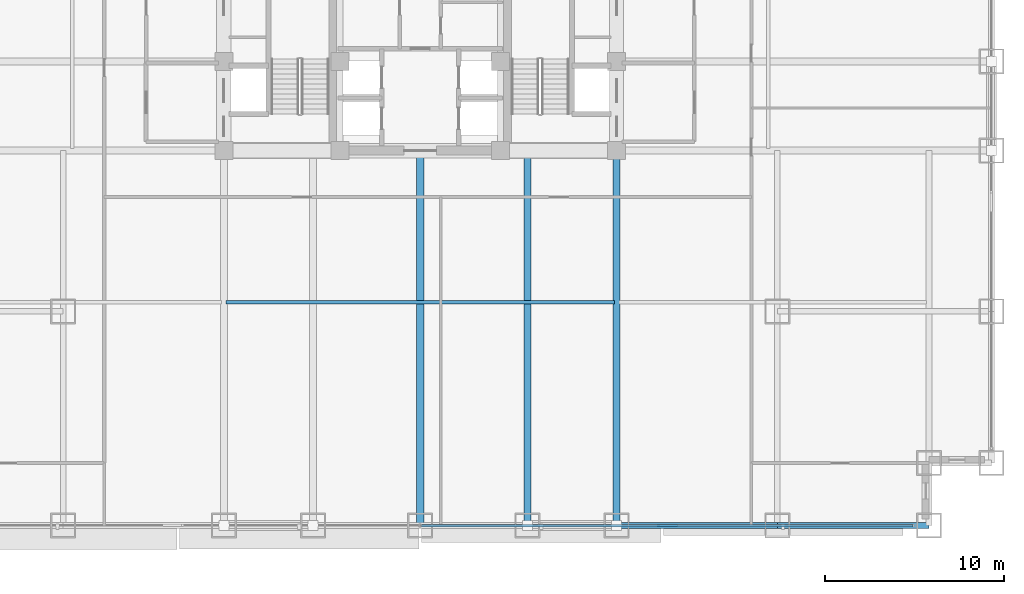
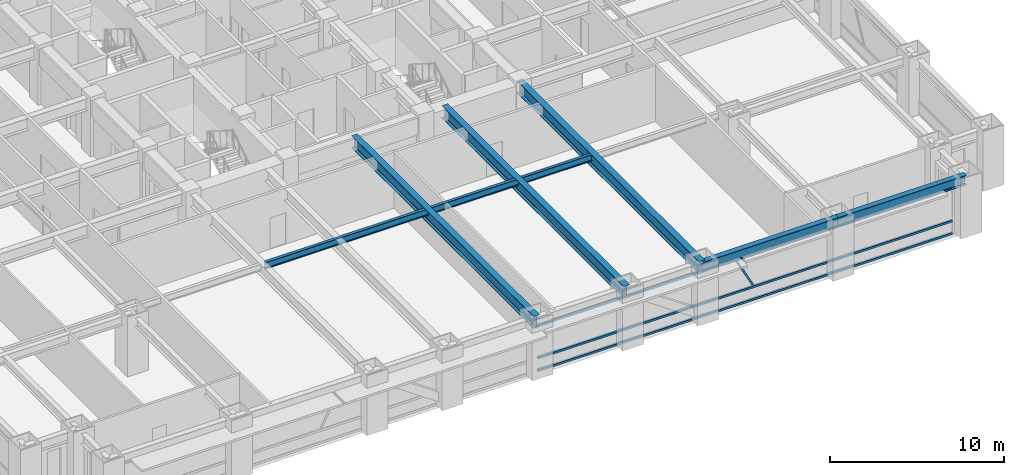
# One storey, part 5 of 32: 6 beams, 4 members, 1 element without a shape of its own.
"""IFC4 building model written with IfcOpenShell, lengths in metres."""

from ifc_helpers import new_model, si_unit, direction, frame, origin, origin_2d, place, context, subcontext, project, spatial, hollow_rectangle, i_section, extrude, source, transform, mapped, material, material_profile, profile_set, type_object, element, aggregate, save


model = new_model("IFC4")

# Units and contexts
model_context = context("Model", 3, precision=1e-05, world=origin(), true_north=direction((0.0, 1.0)))
body_context = subcontext(model_context, "Body", "Model", "MODEL_VIEW")
ifc_project = project(units=[si_unit("LENGTHUNIT", "METRE"), si_unit("AREAUNIT", "SQUARE_METRE"), si_unit("VOLUMEUNIT", "CUBIC_METRE"), si_unit("PLANEANGLEUNIT", "RADIAN"), si_unit("MASSUNIT", "GRAM", prefix="KILO")], contexts=[model_context])

# Site, building, storey
site_placement = place(None, origin())
site = spatial("IfcSite", under=ifc_project, at=site_placement, CompositionType="ELEMENT")
building_placement = place(site_placement, origin())
building = spatial("IfcBuilding", under=site, at=building_placement, Name="Khorayat Bourse Tower", CompositionType="ELEMENT")
storey_placement = place(building_placement, frame((0.0, 0.0, 70.39990234375)))
storey = spatial("IfcBuildingStorey", under=building, at=storey_placement, Name="L15", CompositionType="ELEMENT", Elevation=70.39990234375)

# Beams
ifc_material_1 = material(Name="Steel ASTM A992 Grade 50", Category="steel")
ifc_material_profile_1 = material_profile(ifc_material_1, i_section(OverallWidth=0.35498046875, OverallDepth=0.695068359375, WebThickness=0.015380859375, FlangeThickness=0.02490234375, FilletRadius=0.01806640625, at=origin_2d()), Name="W690X217")
ifc_profile_set_1 = profile_set([ifc_material_profile_1], Name="Steel ASTM A992 Grade 50")
beam_type_1 = type_object("IfcBeamType", Name="BM-SPAN-690", PredefinedType="SPANDREL", material=ifc_profile_set_1)
shared_shape_1 = source(origin(), body_context, "Body", "SweptSolid", [
    extrude(i_section(OverallWidth=0.35498046875, OverallDepth=0.695068359375, WebThickness=0.015380859375, FlangeThickness=0.02490234375, FilletRadius=0.01806640625, at=origin_2d()), origin(), (0.0, 0.0, 1.0), 8.5),
])
beam_1_placement = place(storey_placement, frame((20.0, -32.0, 3.592529296875), z_axis=(1.0, 0.0, 0.0), x_axis=(0.0, 1.0, 0.0)))
element("IfcBeam", 1, at=beam_1_placement, inside=storey, type_object=beam_type_1, Name="L15 BM-SPAN-690 BM-L15-SPN-031", PredefinedType="SPANDREL", context=body_context, shape_type="MappedRepresentation", body=[
    mapped(shared_shape_1, transform((0.0, 0.0, 0.0), scale=1.0)),
])
shared_shape_2 = source(origin(), body_context, "Body", "SweptSolid", [
    extrude(i_section(OverallWidth=0.35498046875, OverallDepth=0.695068359375, WebThickness=0.015380859375, FlangeThickness=0.02490234375, FilletRadius=0.01806640625, at=origin_2d()), origin(), (0.0, 0.0, 1.0), 9.0),
])
beam_2_placement = place(storey_placement, frame((11.0, -32.0, 3.592529296875), z_axis=(1.0, 0.0, 0.0), x_axis=(0.0, 1.0, 0.0)))
element("IfcBeam", 2, at=beam_2_placement, inside=storey, type_object=beam_type_1, Name="L15 BM-SPAN-690 BM-L15-SPN-030", PredefinedType="SPANDREL", context=body_context, shape_type="MappedRepresentation", body=[
    mapped(shared_shape_2, transform((0.0, 0.0, 0.0), scale=1.0)),
])
ifc_material_profile_2 = material_profile(ifc_material_1, i_section(OverallWidth=0.39990234375, OverallDepth=0.85498046875, WebThickness=0.018310546875, FlangeThickness=0.029296875, FilletRadius=0.02001953125, at=origin_2d()), Name="W840X299")
ifc_profile_set_2 = profile_set([ifc_material_profile_2], Name="Steel ASTM A992 Grade 50")
beam_type_2 = type_object("IfcBeamType", Name="BM-GIRD-840", PredefinedType="BEAM", material=ifc_profile_set_2)
shared_shape_3 = source(origin(), body_context, "Body", "SweptSolid", [
    extrude(i_section(OverallWidth=0.39990234375, OverallDepth=0.85498046875, WebThickness=0.018310546875, FlangeThickness=0.029296875, FilletRadius=0.02001953125, at=origin_2d()), origin(), (0.0, 0.0, 1.0), 21.0),
])
for number, where, z_axis, x_axis, name in (
    (3, (0.0, -32.0, 3.5126953125), (0.0, 1.0, 0.0), (-1.0, 0.0, 0.0), "L15 BM-GIRD-840 BM-L15-RADY-069"),
    (4, (6.0, -32.0, 3.5126953125), (0.0, 1.0, 0.0), (-1.0, 0.0, 0.0), "L15 BM-GIRD-840 BM-L15-RADY-071"),
    (5, (11.0, -32.0, 3.5126953125), (0.0, 1.0, 0.0), (-1.0, 0.0, 0.0), "L15 BM-GIRD-840 BM-L15-RADY-073"),
):
    element("IfcBeam", number, at=place(storey_placement, frame(where, z_axis=z_axis, x_axis=x_axis)), inside=storey, type_object=beam_type_2, Name=name, PredefinedType="BEAM", context=body_context, shape_type="MappedRepresentation", body=[
        mapped(shared_shape_3, transform((0.0, 0.0, 0.0), scale=1.0)),
    ])
ifc_material_profile_3 = material_profile(ifc_material_1, i_section(OverallWidth=0.194091796875, OverallDepth=0.468994140625, WebThickness=0.0126953125, FlangeThickness=0.0205078125, FilletRadius=0.012939453125, at=origin_2d()), Name="W460X106")
ifc_profile_set_3 = profile_set([ifc_material_profile_3], Name="Steel ASTM A992 Grade 50")
beam_type_3 = type_object("IfcBeamType", Name="BM-JOIST-460", PredefinedType="JOIST", material=ifc_profile_set_3)
shared_shape_4 = source(origin(), body_context, "Body", "SweptSolid", [
    extrude(i_section(OverallWidth=0.194091796875, OverallDepth=0.468994140625, WebThickness=0.0126953125, FlangeThickness=0.0205078125, FilletRadius=0.012939453125, at=origin_2d()), origin(), (0.0, 0.0, 1.0), 21.740234375),
])
beam_3_placement = place(storey_placement, frame((-10.8701171875, -19.5, 3.70556640625), z_axis=(1.0, 0.0, 0.0), x_axis=(0.0, 1.0, 0.0)))
element("IfcBeam", 6, at=beam_3_placement, inside=storey, type_object=beam_type_3, Name="L15 BM-JOIST-460 BM-L15-JSTX-097", PredefinedType="JOIST", context=body_context, shape_type="MappedRepresentation", body=[
    mapped(shared_shape_4, transform((0.0, 0.0, 0.0), scale=1.0)),
])

# Curtain wall, members
ifc_material_2 = material(Name="Aluminium EN AW-6063 T6", Category="aluminium")
curtain_wall_type = type_object("IfcCurtainWallType", Name="CW-SYS-02", PredefinedType="NOTDEFINED", material=ifc_material_2)
curtain_wall_placement = place(storey_placement, origin())
curtain_wall = element("IfcCurtainWall", 7, at=curtain_wall_placement, inside=storey, type_object=curtain_wall_type, Name="L15 Curtain Wall CW-L15-S1", PredefinedType="NOTDEFINED")
ifc_material_profile_4 = material_profile(ifc_material_2, hollow_rectangle(XDim=0.1201171875, YDim=0.1201171875, WallThickness=0.0048828125, at=origin_2d()), Name="ALU 120x120x5")
ifc_profile_set_4 = profile_set([ifc_material_profile_4], Name="Aluminium EN AW-6063 T6")
member_type_1 = type_object("IfcMemberType", Name="CWM-DIAG-120", PredefinedType="MULLION", material=ifc_profile_set_4)
shared_shape_5 = source(origin(), body_context, "Body", "SweptSolid", [
    extrude(hollow_rectangle(XDim=0.1201171875, YDim=0.1201171875, WallThickness=0.0048828125, at=origin_2d()), origin(), (0.0, 0.0, 1.0), 2.22607421875),
])
member_1_placement = place(storey_placement, frame((14.3583984375, -32.0, 1.10009765625), z_axis=(-0.465759992596, 0.0, 0.884911085532), x_axis=(0.0, -1.0, 0.0)))
member_1 = element("IfcMember", 8, at=member_1_placement, type_object=member_type_1, Name="CW-L15-S1 Faceted Diagonal Mullion 2", PredefinedType="MULLION", context=body_context, shape_type="MappedRepresentation", body=[
    mapped(shared_shape_5, transform((0.0, 0.0, 0.0), scale=1.0)),
])
ifc_material_profile_5 = material_profile(ifc_material_2, hollow_rectangle(XDim=0.139892578125, YDim=0.139892578125, WallThickness=0.006103515625, at=origin_2d()), Name="ALU 140x140x6")
ifc_profile_set_5 = profile_set([ifc_material_profile_5], Name="Aluminium EN AW-6063 T6")
member_type_2 = type_object("IfcMemberType", Name="CWT-HORZ-140", PredefinedType="USERDEFINED", material=ifc_profile_set_5)
shared_shape_6 = source(origin(), body_context, "Body", "SweptSolid", [
    extrude(hollow_rectangle(XDim=0.139892578125, YDim=0.139892578125, WallThickness=0.006103515625, at=origin_2d()), origin(), (0.0, 0.0, 1.0), 27.5400390625),
])
member_2_placement = place(storey_placement, frame((0.070068359375, -32.0, 0.070068359375), z_axis=(1.0, 0.0, 0.0), x_axis=(0.0, 1.0, 0.0)))
member_2 = element("IfcMember", 9, at=member_2_placement, type_object=member_type_2, Name="CW-L15-S1 Horizontal Transom 2-1", ObjectType="TRANSOM", PredefinedType="USERDEFINED", context=body_context, shape_type="MappedRepresentation", body=[
    mapped(shared_shape_6, transform((0.0, 0.0, 0.0), scale=1.0)),
])
member_3_placement = place(storey_placement, frame((0.070068359375, -32.0, 0.9501953125), z_axis=(1.0, 0.0, 0.0), x_axis=(0.0, 1.0, 0.0)))
member_3 = element("IfcMember", 10, at=member_3_placement, type_object=member_type_2, Name="CW-L15-S1 Horizontal Transom 2-2", ObjectType="TRANSOM", PredefinedType="USERDEFINED", context=body_context, shape_type="MappedRepresentation", body=[
    mapped(shared_shape_6, transform((0.0, 0.0, 0.0), scale=1.0)),
])
member_4_placement = place(storey_placement, frame((0.070068359375, -32.0, 3.22021484375), z_axis=(1.0, 0.0, 0.0), x_axis=(0.0, 1.0, 0.0)))
member_4 = element("IfcMember", 11, at=member_4_placement, type_object=member_type_2, Name="CW-L15-S1 Horizontal Transom 2-3", ObjectType="TRANSOM", PredefinedType="USERDEFINED", context=body_context, shape_type="MappedRepresentation", body=[
    mapped(shared_shape_6, transform((0.0, 0.0, 0.0), scale=1.0)),
])
aggregate(curtain_wall, [member_2, member_3, member_4, member_1])

save(model, "model.ifc")
